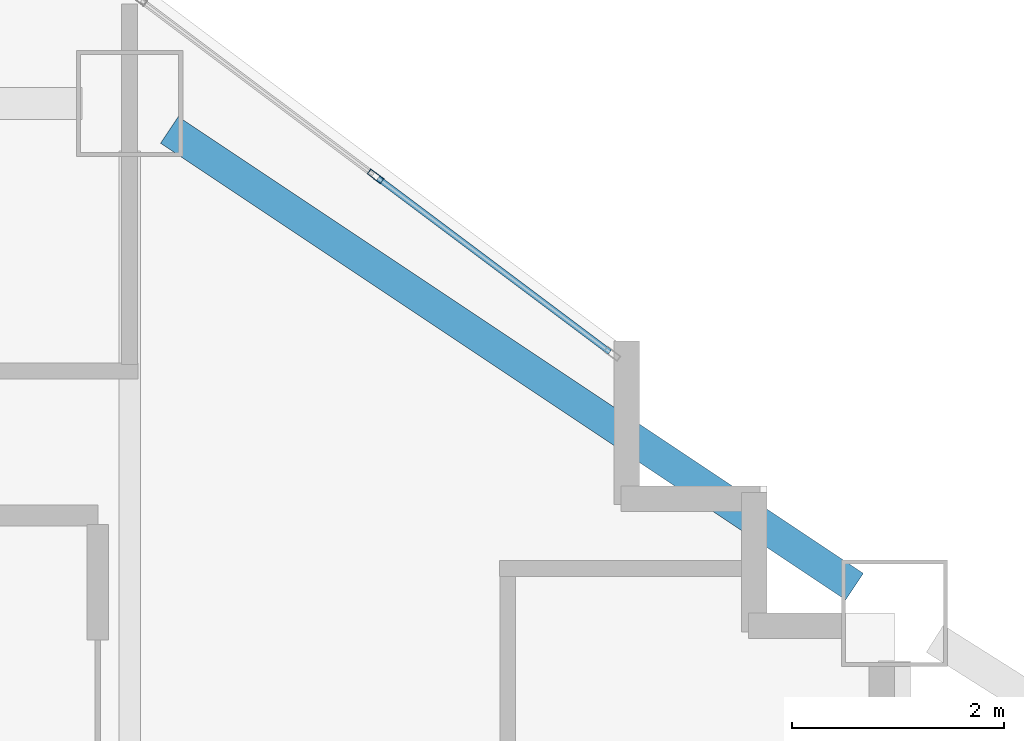
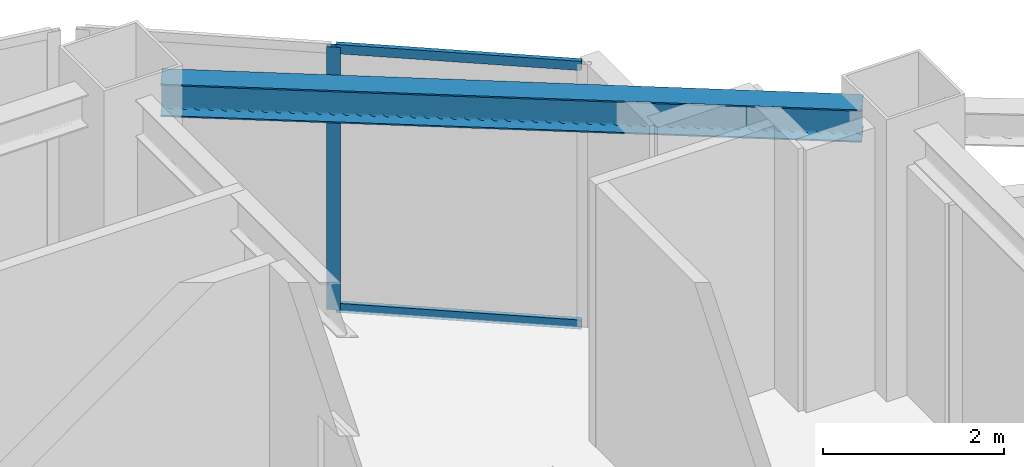
# One storey, part 3 of 14: 3 members, 1 beam, 1 element without a shape of its own.
"""IFC4 building model written with IfcOpenShell, lengths in metres."""

from ifc_helpers import new_model, si_unit, direction, frame, origin, origin_2d, place, context, subcontext, project, spatial, hollow_rectangle, i_section, extrude, material, layer, layer_set, material_profile, profile_set, type_object, element, aggregate, save


model = new_model("IFC4")

# Units and contexts
model_context = context("Model", 3, precision=1e-05, world=origin(), true_north=direction((0.0, 1.0)))
body_context = subcontext(model_context, "Body", "Model", "MODEL_VIEW")
ifc_project = project(units=[si_unit("LENGTHUNIT", "METRE"), si_unit("AREAUNIT", "SQUARE_METRE"), si_unit("VOLUMEUNIT", "CUBIC_METRE"), si_unit("PLANEANGLEUNIT", "RADIAN"), si_unit("MASSUNIT", "GRAM", prefix="KILO")], contexts=[model_context])

# Site, building, storey
site_placement = place(None, origin())
site = spatial("IfcSite", under=ifc_project, at=site_placement, CompositionType="ELEMENT")
building_placement = place(site_placement, origin())
building = spatial("IfcBuilding", under=site, at=building_placement, Name="Haolan Belvedere Tower", CompositionType="ELEMENT")
storey_placement = place(building_placement, frame((0.0, 0.0, 132.60009765625)))
storey = spatial("IfcBuildingStorey", under=building, at=storey_placement, Name="L33", CompositionType="ELEMENT", Elevation=132.60009765625)

# Beam
ifc_material_1 = material(Name="Steel Q355B", Category="steel")
ifc_material_profile_1 = material_profile(ifc_material_1, i_section(OverallWidth=0.300048828125, OverallDepth=0.43994140625, WebThickness=0.010986328125, FlangeThickness=0.01806640625, FilletRadius=0.02392578125, at=origin_2d()), Name="Steel Q355B")
ifc_profile_set_1 = profile_set([ifc_material_profile_1], Name="Steel Q355B")
beam_type = type_object("IfcBeamType", Name="BM-HM440x300x11x18", PredefinedType="SPANDREL", material=ifc_profile_set_1)
beam_placement = place(storey_placement, frame((45.974365234375, 50.150390625, 3.31982421875), z_axis=(0.832050294338, -0.554700196225, 0.0), x_axis=(0.554700196225, 0.832050294338, 0.0)))
element("IfcBeam", 1, at=beam_placement, inside=storey, type_object=beam_type, Name="L33 spandrel girder MC-T3-N2-MC-T3-NE", PredefinedType="SPANDREL", context=body_context, shape_type="SweptSolid", body=[
    extrude(i_section(OverallWidth=0.300048828125, OverallDepth=0.43994140625, WebThickness=0.010986328125, FlangeThickness=0.01806640625, FilletRadius=0.02392578125, at=origin_2d()), origin(), (0.0, 0.0, 1.0), 7.75341796875),
])

# Curtain wall, members
ifc_material_2 = material(Name="Anodised champagne-silver aluminium 6063-T6 and Low-E glass", Category="aluminium")
ifc_layer = layer(ifc_material_2, 0.155029296875, Name="Anodised champagne-silver aluminium 6063-T6 and Low-E glass")
ifc_layer_set = layer_set([ifc_layer], Name="Anodised champagne-silver aluminium 6063-T6 and Low-E glass")
curtain_wall_type = type_object("IfcCurtainWallType", Name="CW-SYS-03", PredefinedType="NOTDEFINED", material=ifc_layer_set)
curtain_wall_placement = place(storey_placement, origin())
curtain_wall = element("IfcCurtainWall", 2, at=curtain_wall_placement, inside=storey, type_object=curtain_wall_type, Name="L33 CW-SYS-03 ribbon curtain wall 26.1", PredefinedType="NOTDEFINED")
ifc_material_3 = material(Name="Anodised aluminium 6063-T6", Category="aluminium")
ifc_material_profile_2 = material_profile(ifc_material_3, hollow_rectangle(XDim=0.05810546875, YDim=0.155029296875, WallThickness=0.00390625, at=origin_2d()), Name="Anodised aluminium 6063-T6")
ifc_profile_set_2 = profile_set([ifc_material_profile_2], Name="Anodised aluminium 6063-T6")
member_type_1 = type_object("IfcMemberType", Name="CW-SYS-03-MUL", PredefinedType="MULLION", material=ifc_profile_set_2)
member_1_placement = place(storey_placement, frame((47.915771484375, 49.713134765625, 0.0), z_axis=(0.0, 0.0, 1.0), x_axis=(-0.599994316874, -0.800004262313, 0.0)))
member_1 = element("IfcMember", 3, at=member_1_placement, type_object=member_type_1, Name="CW-03 mullion 2", PredefinedType="MULLION", context=body_context, shape_type="SweptSolid", body=[
    extrude(hollow_rectangle(XDim=0.05810546875, YDim=0.155029296875, WallThickness=0.00390625, at=origin_2d()), origin(), (0.0, 0.0, 1.0), 3.539794921875),
])
ifc_material_profile_3 = material_profile(ifc_material_3, hollow_rectangle(XDim=0.053955078125, YDim=0.125, WallThickness=0.00390625, at=origin_2d()), Name="Anodised aluminium 6063-T6")
ifc_profile_set_3 = profile_set([ifc_material_profile_3], Name="Anodised aluminium 6063-T6")
member_type_2 = type_object("IfcMemberType", Name="CW-SYS-03-TRN", PredefinedType="USERDEFINED", material=ifc_profile_set_3)
member_2_placement = place(storey_placement, frame((50.12158203125, 48.058837890625, 0.02685546875), z_axis=(-0.8, 0.6, 0.0), x_axis=(-0.6, -0.8, 0.0)))
member_2 = element("IfcMember", 4, at=member_2_placement, type_object=member_type_2, Name="CW-03 transom 1.1", ObjectType="TRANSOM", PredefinedType="USERDEFINED", context=body_context, shape_type="SweptSolid", body=[
    extrude(hollow_rectangle(XDim=0.053955078125, YDim=0.125, WallThickness=0.00390625, at=origin_2d()), origin(), (0.0, 0.0, 1.0), 2.728271484375),
])
member_3_placement = place(storey_placement, frame((50.12158203125, 48.058837890625, 3.512939453125), z_axis=(-0.8, 0.6, 0.0), x_axis=(-0.6, -0.8, 0.0)))
member_3 = element("IfcMember", 5, at=member_3_placement, type_object=member_type_2, Name="CW-03 transom 1.2", ObjectType="TRANSOM", PredefinedType="USERDEFINED", context=body_context, shape_type="SweptSolid", body=[
    extrude(hollow_rectangle(XDim=0.053955078125, YDim=0.125, WallThickness=0.00390625, at=origin_2d()), origin(), (0.0, 0.0, 1.0), 2.728271484375),
])
aggregate(curtain_wall, [member_1, member_2, member_3])

save(model, "model.ifc")
